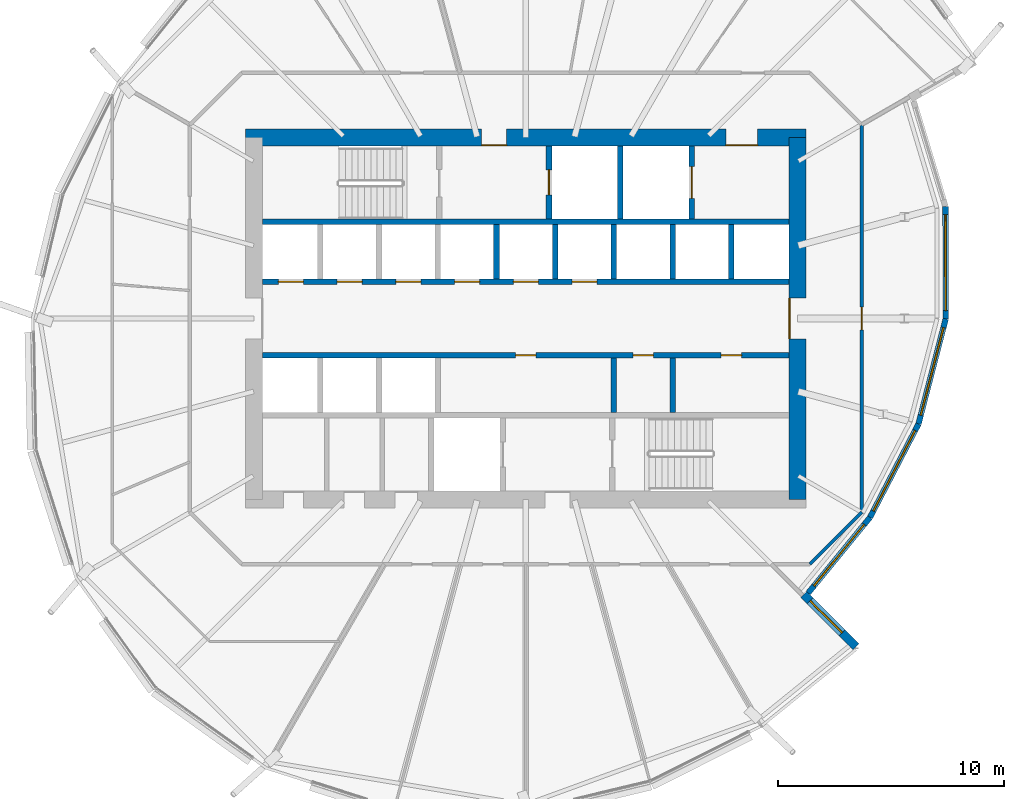
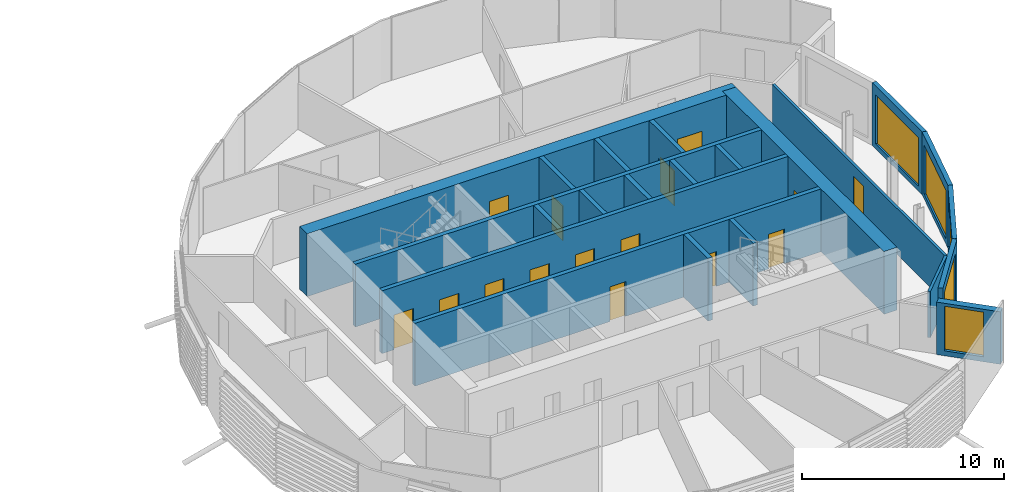
# One storey, part 24 of 38: 22 walls, 15 doors, 5 windows, 20 openings.
"""IFC4 building model written with IfcOpenShell, lengths in metres."""

import ifcopenshell
import ifcopenshell.guid

model = None  # the IFC model being written
_history = None  # IfcOwnerHistory: only IFC2X3 demands one
_inside = {}  # id of a spatial element -> (the spatial element, [elements in it])
_under = {}  # id of a project, library or spatial element -> (it, [spatial elements below it])
_declared = {}  # id of a project -> (the project, [libraries it declares])
_typed = {}  # id of a type object -> (the type object, [elements of that type])
_made_of = {}  # id of a material, layer set ... -> (it, [elements and type objects made of it])


def new_model(schema):
    """Start an empty IFC model of exactly this schema.

    Asked for "IFC4X3", IfcOpenShell would pick the latest addendum, in which some entities
    have other attributes; the version numbers below select the first issue.
    IFC2X3 requires an IfcOwnerHistory on every rooted entity: one is made here for all.
    """
    global model, _history
    if schema == "IFC4X3":
        model = ifcopenshell.file(schema_version=(4, 3, 0, 0))
    else:
        model = ifcopenshell.file(schema=schema)
    _inside.clear()
    _under.clear()
    _declared.clear()
    _typed.clear()
    _made_of.clear()
    _history = None
    if model.schema == "IFC2X3":
        org = make("IfcOrganization", Name="unknown")
        user = make(
            "IfcPersonAndOrganization",
            ThePerson=make("IfcPerson", FamilyName="unknown"),
            TheOrganization=org,
        )
        app = make(
            "IfcApplication",
            ApplicationDeveloper=org,
            Version="unknown",
            ApplicationFullName="unknown",
            ApplicationIdentifier="unknown",
        )
        _history = make(
            "IfcOwnerHistory",
            OwningUser=user,
            OwningApplication=app,
            ChangeAction="ADDED",
            CreationDate=0,
        )
    return model


def make(cls, **values):
    """One entity of the class cls with the attributes given. An attribute that is None is left unset."""
    return model.create_entity(
        cls, **{name: value for name, value in values.items() if value is not None}
    )


def rooted(cls, **values):
    """An entity with a GlobalId (a new one), such as an element, a storey or a relation."""
    return make(cls, GlobalId=ifcopenshell.guid.new(), OwnerHistory=_history, **values)


def si_unit(unit_type, name, prefix=None):
    """IfcSIUnit, for example si_unit("LENGTHUNIT", "METRE", prefix="MILLI")."""
    return make("IfcSIUnit", UnitType=unit_type, Prefix=prefix, Name=name)


def assignment(units):
    """IfcUnitAssignment: the units of a project."""
    return None if units is None else make("IfcUnitAssignment", Units=units)


def point(xyz):
    """IfcCartesianPoint."""
    return None if xyz is None else make("IfcCartesianPoint", Coordinates=xyz)


def direction(xyz):
    """IfcDirection."""
    return None if xyz is None else make("IfcDirection", DirectionRatios=xyz)


def frame(location, z_axis=None, x_axis=None):
    """IfcAxis2Placement3D, a coordinate frame: its origin and axes. An axis left out is left unset."""
    return make(
        "IfcAxis2Placement3D",
        Location=point(location),
        Axis=direction(z_axis),
        RefDirection=direction(x_axis),
    )


def frame_2d(location, x_axis=None):
    """IfcAxis2Placement2D, a coordinate frame in the plane: its origin and x axis."""
    return make(
        "IfcAxis2Placement2D", Location=point(location), RefDirection=direction(x_axis)
    )


def origin():
    """The frame at (0, 0, 0) with its axes left unset."""
    return frame((0.0, 0.0, 0.0))


def place(relative_to, where):
    """IfcLocalPlacement: puts the frame where relative to a parent placement (None: the world)."""
    return make(
        "IfcLocalPlacement", PlacementRelTo=relative_to, RelativePlacement=where
    )


def context(
    kind, dimensions, precision=None, world=None, true_north=None, identifier=None
):
    """IfcGeometricRepresentationContext, for example the 3D "Model" context."""
    return make(
        "IfcGeometricRepresentationContext",
        ContextIdentifier=identifier,
        ContextType=kind,
        CoordinateSpaceDimension=dimensions,
        Precision=precision,
        WorldCoordinateSystem=world,
        TrueNorth=true_north,
    )


def subcontext(parent, identifier, kind, view, scale=None):
    """IfcGeometricRepresentationSubContext, for example "Body" below "Model"."""
    return make(
        "IfcGeometricRepresentationSubContext",
        ContextIdentifier=identifier,
        ContextType=kind,
        ParentContext=parent,
        TargetScale=scale,
        TargetView=view,
    )


def project(units=None, contexts=None):
    """IfcProject with its units and contexts."""
    return rooted(
        "IfcProject",
        Name="project",
        RepresentationContexts=contexts,
        UnitsInContext=assignment(units),
    )


def spatial(cls, under=None, at=None, **own):
    """A site, building, storey or space (cls), placed at a placement, below another one or the project."""
    s = rooted(cls, ObjectPlacement=at, **own)
    if under is not None:
        _under.setdefault(under.id(), (under, []))[1].append(s)
    return s


def profile(cls, at=None, kind="AREA", **sizes):
    """A parametric profile (cls). Its sizes go by their IFC names, for example OverallWidth=200.0."""
    return make(cls, ProfileType=kind, Position=at, **sizes)


def rectangle(**sizes):
    """IfcRectangleProfileDef."""
    return profile("IfcRectangleProfileDef", **sizes)


def extrude(swept, where, along, depth):
    """IfcExtrudedAreaSolid: the profile swept, set in the frame where, extruded along a direction by depth."""
    return make(
        "IfcExtrudedAreaSolid",
        SweptArea=swept,
        Position=where,
        ExtrudedDirection=direction(along),
        Depth=depth,
    )


def shape(context_of_items, identifier, shape_type, items):
    """IfcShapeRepresentation: the items that make up one representation, for example the "Body"."""
    return make(
        "IfcShapeRepresentation",
        ContextOfItems=context_of_items,
        RepresentationIdentifier=identifier,
        RepresentationType=shape_type,
        Items=items,
    )


def material(Name=None, Category=None):
    """IfcMaterial."""
    return make("IfcMaterial", Name=Name, Category=Category)


def layer(
    of_material, thickness, ventilated=None, Name=None, Category=None, Priority=None
):
    """IfcMaterialLayer: one layer of a wall or slab, of a material (None: an air gap)."""
    return make(
        "IfcMaterialLayer",
        Material=of_material,
        LayerThickness=thickness,
        IsVentilated=ventilated,
        Name=Name,
        Category=Category,
        Priority=Priority,
    )


def layer_set(layers, Name=None):
    """IfcMaterialLayerSet."""
    return make("IfcMaterialLayerSet", MaterialLayers=layers, LayerSetName=Name)


def made_of(thing, what):
    """Note that an element or type object is made of a material, layer set ...; save() writes the relation."""
    if what is not None:
        _made_of.setdefault(what.id(), (what, []))[1].append(thing)
    return thing


def type_object(cls, material=None, **own):
    """A type object (cls), such as IfcWallType, which elements share."""
    return made_of(rooted(cls, **own), material)


def element(
    cls,
    number,
    at=None,
    inside=None,
    cuts=None,
    type_object=None,
    material=None,
    context=None,
    identifier="Body",
    shape_type=None,
    held_by="IfcProductDefinitionShape",
    body=None,
    shapes=None,
    **own,
):
    """One element of the class cls, such as IfcWall. Its Tag is "e" and its number.

    at: its placement. inside: the storey or other place that contains it. cuts: it is an
    opening in that element (IfcRelVoidsElement). A single representation is given by context,
    identifier, shape_type and body (its items); several are given by shapes. held_by: the class
    of the entity that holds the representations. save() writes the other relations.
    """
    e = rooted(cls, Tag="e%d" % number, ObjectPlacement=at, **own)
    if body is not None:
        shapes = [shape(context, identifier, shape_type, body)]
    if shapes is not None:
        e.Representation = make(held_by, Representations=shapes)
    if inside is not None:
        _inside.setdefault(inside.id(), (inside, []))[1].append(e)
    if cuts is not None:
        rooted(
            "IfcRelVoidsElement", RelatingBuildingElement=cuts, RelatedOpeningElement=e
        )
    if type_object is not None:
        _typed.setdefault(type_object.id(), (type_object, []))[1].append(e)
    return made_of(e, material)


def fill(opening, filler):
    """IfcRelFillsElement: the door or window that sits in an opening."""
    return rooted(
        "IfcRelFillsElement",
        RelatingOpeningElement=opening,
        RelatedBuildingElement=filler,
    )


def aggregate(whole, parts):
    """IfcRelAggregates: a whole, such as a stair, and the parts it consists of."""
    return rooted("IfcRelAggregates", RelatingObject=whole, RelatedObjects=parts)


def save(model, path):
    """Write the relations noted so far, then the file.

    IfcRelAggregates (storeys below a building ...), IfcRelContainedInSpatialStructure (elements
    in a storey), IfcRelDefinesByType, IfcRelAssociatesMaterial and IfcRelDeclares: one each for
    every whole, place, type object, material and project.
    """
    for whole, parts in _under.values():
        aggregate(whole, parts)
    for where, things in _inside.values():
        rooted(
            "IfcRelContainedInSpatialStructure",
            RelatedElements=things,
            RelatingStructure=where,
        )
    for kind, things in _typed.values():
        rooted("IfcRelDefinesByType", RelatedObjects=things, RelatingType=kind)
    for what, things in _made_of.values():
        rooted("IfcRelAssociatesMaterial", RelatedObjects=things, RelatingMaterial=what)
    for by, libraries in _declared.values():
        rooted("IfcRelDeclares", RelatingContext=by, RelatedDefinitions=libraries)
    model.write(path)


model = new_model("IFC4")

# Units and contexts
model_context = context("Model", 3, precision=1e-05, world=origin(), true_north=direction((0.0, 1.0)))
body_context = subcontext(model_context, "Body", "Model", "MODEL_VIEW")
ifc_project = project(units=[si_unit("LENGTHUNIT", "METRE"), si_unit("AREAUNIT", "SQUARE_METRE"), si_unit("VOLUMEUNIT", "CUBIC_METRE"), si_unit("PLANEANGLEUNIT", "RADIAN"), si_unit("MASSUNIT", "GRAM", prefix="KILO")], contexts=[model_context])

# Site, building, storey
site_placement = place(None, origin())
site = spatial("IfcSite", under=ifc_project, at=site_placement, CompositionType="ELEMENT")
building_placement = place(site_placement, origin())
building = spatial("IfcBuilding", under=site, at=building_placement, Name="Rimbun Link Towers", CompositionType="ELEMENT")
storey_placement = place(building_placement, frame((0.0, 0.0, 119.60009765625)))
storey = spatial("IfcBuildingStorey", under=building, at=storey_placement, Name="L29", CompositionType="ELEMENT", Elevation=119.60009765625)

# Wall, opening, window
ifc_material_1 = material(Name="Dark enamelled glass spandrel on insulated aluminium backpan", Category="aluminium")
ifc_layer_1 = layer(ifc_material_1, 0.25)
ifc_layer_set_1 = layer_set([ifc_layer_1], Name="CS dark enamelled spandrel wall 250")
wall_type_1 = type_object("IfcWallType", Name="CS dark enamelled spandrel wall 250", PredefinedType="STANDARD", material=ifc_layer_set_1)
wall_1_placement = place(storey_placement, frame((46.958984375, -8.789306640625, 0.0), z_axis=(0.0, 0.0, 1.0), x_axis=(-0.632981787804, -0.774166685093, 0.0)))
wall_1 = element("IfcWall", 1, at=wall_1_placement, inside=storey, type_object=wall_type_1, Name="Crease spandrel wall", PredefinedType="STANDARD", context=body_context, shape_type="SweptSolid", body=[
    extrude(rectangle(XDim=4.31103515625, YDim=0.25, at=frame_2d((2.155517578125, 0.0))), origin(), (0.0, 0.0, 1.0), 3.7998046875),
])
opening_1_placement = place(wall_1_placement, frame((0.405517578125, 0.0, 0.300048828125)))
opening_1 = element("IfcOpeningElement", 2, at=opening_1_placement, cuts=wall_1, Name="Opening WR35H295", PredefinedType="OPENING", context=body_context, shape_type="SweptSolid", body=[
    extrude(rectangle(XDim=3.5, YDim=2.949951171875, at=frame_2d((1.75, 1.47509765625))), frame((0.0, 0.135009765625, 0.0), z_axis=(0.0, -1.0, 0.0), x_axis=(1.0, 0.0, 0.0)), (0.0, 0.0, 1.0), 0.27001953125),
])
ifc_material_2 = material(Name="Aluminium framed fixed window, dark tinted low-e glass", Category="aluminium")
window_type_1 = type_object("IfcWindowType", Name="WR ribbon window 3500X2950", PartitioningType="SINGLE_PANEL", PredefinedType="WINDOW", material=ifc_material_2)
window_1_placement = place(opening_1_placement, origin())
window_1 = element("IfcWindow", 3, at=window_1_placement, inside=storey, type_object=window_type_1, Name="Crease ribbon window", OverallHeight=2.949951171875, OverallWidth=3.5, PartitioningType="SINGLE_PANEL", PredefinedType="WINDOW", context=body_context, shape_type="SweptSolid", body=[
    extrude(rectangle(XDim=3.5, YDim=2.949951171875, at=frame_2d((1.75, 1.47509765625))), frame((0.0, 0.030029296875, 0.0), z_axis=(0.0, -1.0, 0.0), x_axis=(1.0, 0.0, 0.0)), (0.0, 0.0, 1.0), 0.06005859375),
])
fill(opening_1, window_1)

wall_2_placement = place(storey_placement, frame((49.1015625, -4.662841796875, 0.0), z_axis=(0.0, 0.0, 1.0), x_axis=(-0.460813679946, -0.887496902741, 0.0)))
wall_2 = element("IfcWall", 4, at=wall_2_placement, inside=storey, type_object=wall_type_1, Name="Crease spandrel wall", PredefinedType="STANDARD", context=body_context, shape_type="SweptSolid", body=[
    extrude(rectangle(XDim=4.649658203125, YDim=0.25, at=frame_2d((2.32470703125, 0.0))), origin(), (0.0, 0.0, 1.0), 3.7998046875),
])
opening_2_placement = place(wall_2_placement, frame((0.32470703125, 0.0, 0.300048828125)))
opening_2 = element("IfcOpeningElement", 5, at=opening_2_placement, cuts=wall_2, Name="Opening WR40H295", PredefinedType="OPENING", context=body_context, shape_type="SweptSolid", body=[
    extrude(rectangle(XDim=4.0, YDim=2.949951171875, at=frame_2d((2.0, 1.47509765625))), frame((0.0, 0.135009765625, 0.0), z_axis=(0.0, -1.0, 0.0), x_axis=(1.0, 0.0, 0.0)), (0.0, 0.0, 1.0), 0.27001953125),
])
ifc_material_3 = material(Name="Aluminium framed fixed window, dark tinted low-e glass", Category="aluminium")
window_type_2 = type_object("IfcWindowType", Name="WR ribbon window 4000X2950", PartitioningType="SINGLE_PANEL", PredefinedType="WINDOW", material=ifc_material_3)
window_2_placement = place(opening_2_placement, origin())
window_2 = element("IfcWindow", 6, at=window_2_placement, inside=storey, type_object=window_type_2, Name="Crease ribbon window", OverallHeight=2.949951171875, OverallWidth=4.0, PartitioningType="SINGLE_PANEL", PredefinedType="WINDOW", context=body_context, shape_type="SweptSolid", body=[
    extrude(rectangle(XDim=4.0, YDim=2.949951171875, at=frame_2d((2.0, 1.47509765625))), frame((0.0, 0.030029296875, 0.0), z_axis=(0.0, -1.0, 0.0), x_axis=(1.0, 0.0, 0.0)), (0.0, 0.0, 1.0), 0.06005859375),
])
fill(opening_2, window_2)

wall_3_placement = place(storey_placement, frame((50.305419921875, -0.015869140625, 0.0), z_axis=(0.0, 0.0, 1.0), x_axis=(-0.250783887851, -0.968043099038, 0.0)))
wall_3 = element("IfcWall", 7, at=wall_3_placement, inside=storey, type_object=wall_type_1, Name="Crease spandrel wall", PredefinedType="STANDARD", context=body_context, shape_type="SweptSolid", body=[
    extrude(rectangle(XDim=4.80029296875, YDim=0.25, at=frame_2d((2.400146484375, 0.0))), origin(), (0.0, 0.0, 1.0), 3.7998046875),
])
opening_3_placement = place(wall_3_placement, frame((0.400146484375, 0.0, 0.300048828125)))
opening_3 = element("IfcOpeningElement", 8, at=opening_3_placement, cuts=wall_3, Name="Opening WR40H295", PredefinedType="OPENING", context=body_context, shape_type="SweptSolid", body=[
    extrude(rectangle(XDim=4.0, YDim=2.949951171875, at=frame_2d((2.0, 1.47509765625))), frame((0.0, 0.135009765625, 0.0), z_axis=(0.0, -1.0, 0.0), x_axis=(1.0, 0.0, 0.0)), (0.0, 0.0, 1.0), 0.27001953125),
])
window_3_placement = place(opening_3_placement, origin())
window_3 = element("IfcWindow", 9, at=window_3_placement, inside=storey, type_object=window_type_2, Name="Crease ribbon window", OverallHeight=2.949951171875, OverallWidth=4.0, PartitioningType="SINGLE_PANEL", PredefinedType="WINDOW", context=body_context, shape_type="SweptSolid", body=[
    extrude(rectangle(XDim=4.0, YDim=2.949951171875, at=frame_2d((2.0, 1.47509765625))), frame((0.0, 0.030029296875, 0.0), z_axis=(0.0, -1.0, 0.0), x_axis=(1.0, 0.0, 0.0)), (0.0, 0.0, 1.0), 0.06005859375),
])
fill(opening_3, window_3)

wall_4_placement = place(storey_placement, frame((50.295654296875, 4.954345703125, 0.0), z_axis=(0.0, 0.0, 1.0), x_axis=(0.001964825758, -0.999998069728, 0.0)))
wall_4 = element("IfcWall", 10, at=wall_4_placement, inside=storey, type_object=wall_type_1, Name="Crease spandrel wall", PredefinedType="STANDARD", context=body_context, shape_type="SweptSolid", body=[
    extrude(rectangle(XDim=4.97021484375, YDim=0.25, at=frame_2d((2.485107421875, 0.0))), origin(), (0.0, 0.0, 1.0), 3.7998046875),
])
opening_4_placement = place(wall_4_placement, frame((0.360107421875, 0.0, 0.300048828125)))
opening_4 = element("IfcOpeningElement", 11, at=opening_4_placement, cuts=wall_4, Name="Opening WR42H295", PredefinedType="OPENING", context=body_context, shape_type="SweptSolid", body=[
    extrude(rectangle(XDim=4.25, YDim=2.949951171875, at=frame_2d((2.125, 1.47509765625))), frame((0.0, 0.135009765625, 0.0), z_axis=(0.0, -1.0, 0.0), x_axis=(1.0, 0.0, 0.0)), (0.0, 0.0, 1.0), 0.27001953125),
])
ifc_material_4 = material(Name="Aluminium framed fixed window, dark tinted low-e glass", Category="aluminium")
window_type_3 = type_object("IfcWindowType", Name="WR ribbon window 4250X2950", PartitioningType="SINGLE_PANEL", PredefinedType="WINDOW", material=ifc_material_4)
window_4_placement = place(opening_4_placement, origin())
window_4 = element("IfcWindow", 12, at=window_4_placement, inside=storey, type_object=window_type_3, Name="Crease ribbon window", OverallHeight=2.949951171875, OverallWidth=4.25, PartitioningType="SINGLE_PANEL", PredefinedType="WINDOW", context=body_context, shape_type="SweptSolid", body=[
    extrude(rectangle(XDim=4.25, YDim=2.949951171875, at=frame_2d((2.125, 1.47509765625))), frame((0.0, 0.030029296875, 0.0), z_axis=(0.0, -1.0, 0.0), x_axis=(1.0, 0.0, 0.0)), (0.0, 0.0, 1.0), 0.06005859375),
])
fill(opening_4, window_4)

ifc_material_5 = material(Name="Dark enamelled glass spandrel on insulated aluminium backpan", Category="aluminium")
ifc_layer_2 = layer(ifc_material_5, 0.3701171875)
ifc_layer_set_2 = layer_set([ifc_layer_2], Name="CS dark enamelled spandrel wall 370")
wall_type_2 = type_object("IfcWallType", Name="CS dark enamelled spandrel wall 370", PredefinedType="STANDARD", material=ifc_layer_set_2)
wall_5_placement = place(storey_placement, frame((44.0283203125, -12.186279296875, 0.0), z_axis=(0.0, 0.0, 1.0), x_axis=(0.707069562102, -0.707143998312, 0.0)))
wall_5 = element("IfcWall", 13, at=wall_5_placement, inside=storey, type_object=wall_type_2, Name="Crease spandrel wall", PredefinedType="STANDARD", context=body_context, shape_type="SweptSolid", body=[
    extrude(rectangle(XDim=3.27978515625, YDim=0.3701171875, at=frame_2d((1.639892578125, 0.0))), origin(), (0.0, 0.0, 1.0), 3.176513671875),
])
opening_5_placement = place(wall_5_placement, frame((0.397216796875, 0.0, 0.300048828125)))
opening_5 = element("IfcOpeningElement", 14, at=opening_5_placement, cuts=wall_5, Name="Opening WR20H270", PredefinedType="OPENING", context=body_context, shape_type="SweptSolid", body=[
    extrude(rectangle(XDim=2.0, YDim=2.699951171875, at=frame_2d((1.0, 1.35009765625))), frame((0.0, 0.195068359375, 0.0), z_axis=(0.0, -1.0, 0.0), x_axis=(1.0, 0.0, 0.0)), (0.0, 0.0, 1.0), 0.39013671875),
])
ifc_material_6 = material(Name="Aluminium framed fixed window, dark tinted low-e glass", Category="aluminium")
window_type_4 = type_object("IfcWindowType", Name="WR ribbon window 2000X2700", PartitioningType="SINGLE_PANEL", PredefinedType="WINDOW", material=ifc_material_6)
window_5_placement = place(opening_5_placement, origin())
window_5 = element("IfcWindow", 15, at=window_5_placement, inside=storey, type_object=window_type_4, Name="Crease ribbon window", OverallHeight=2.699951171875, OverallWidth=2.0, PartitioningType="SINGLE_PANEL", PredefinedType="WINDOW", context=body_context, shape_type="SweptSolid", body=[
    extrude(rectangle(XDim=2.0, YDim=2.699951171875, at=frame_2d((1.0, 1.35009765625))), frame((0.0, 0.030029296875, 0.0), z_axis=(0.0, -1.0, 0.0), x_axis=(1.0, 0.0, 0.0)), (0.0, 0.0, 1.0), 0.06005859375),
])
fill(opening_5, window_5)

# Wall, openings, doors
ifc_material_7 = material(Name="Concrete C60/75", Category="concrete")
ifc_layer_3 = layer(ifc_material_7, 0.75)
ifc_layer_set_3 = layer_set([ifc_layer_3], Name="Core shear wall 750")
wall_type_3 = type_object("IfcWallType", Name="Core shear wall 750", PredefinedType="SHEAR", material=ifc_layer_set_3)
wall_6_placement = place(storey_placement, frame((19.375, 8.0, 0.0), z_axis=(0.0, 0.0, 1.0), x_axis=(1.0, 0.0, 0.0)))
wall_6 = element("IfcWall", 16, at=wall_6_placement, inside=storey, type_object=wall_type_3, Name="L29 T2 core wall N", PredefinedType="SHEAR", context=body_context, shape_type="SweptSolid", body=[
    extrude(rectangle(XDim=24.75, YDim=0.75, at=frame_2d((12.375, 0.0))), origin(), (0.0, 0.0, 1.0), 3.7998046875),
])
opening_6_placement = place(wall_6_placement, frame((10.425048828125, 0.0, 0.0)))
opening_6 = element("IfcOpeningElement", 17, at=opening_6_placement, cuts=wall_6, Name="Opening C2DCF01N", PredefinedType="OPENING", context=body_context, shape_type="SweptSolid", body=[
    extrude(rectangle(XDim=1.10009765625, YDim=2.10009765625, at=frame_2d((0.550048828125, 1.050048828125))), frame((0.0, 0.385009765625, 0.0), z_axis=(0.0, -1.0, 0.0), x_axis=(1.0, 0.0, 0.0)), (0.0, 0.0, 1.0), 0.77001953125),
])
opening_7_placement = place(wall_6_placement, frame((21.21240234375, 0.0, 0.0)))
opening_7 = element("IfcOpeningElement", 18, at=opening_7_placement, cuts=wall_6, Name="Opening C2DSL02N", PredefinedType="OPENING", context=body_context, shape_type="SweptSolid", body=[
    extrude(rectangle(XDim=1.39990234375, YDim=2.10009765625, at=frame_2d((0.699951171875, 1.050048828125))), frame((0.0, 0.385009765625, 0.0), z_axis=(0.0, -1.0, 0.0), x_axis=(1.0, 0.0, 0.0)), (0.0, 0.0, 1.0), 0.77001953125),
])
ifc_material_8 = material(Name="Steel fire door set", Category="steel")
door_type_1 = type_object("IfcDoorType", Name="Core fire door single", OperationType="SINGLE_SWING_LEFT", PredefinedType="DOOR", material=ifc_material_8)
door_1_placement = place(opening_6_placement, origin())
door_1 = element("IfcDoor", 19, at=door_1_placement, inside=storey, type_object=door_type_1, Name="L29 T2 firefighting lobby n door", OperationType="SINGLE_SWING_LEFT", OverallHeight=2.10009765625, OverallWidth=1.10009765625, PredefinedType="DOOR", context=body_context, shape_type="SweptSolid", body=[
    extrude(rectangle(XDim=1.10009765625, YDim=2.10009765625, at=frame_2d((0.550048828125, 1.050048828125))), frame((0.0, -0.3251953125, 0.0), z_axis=(0.0, -1.0, 0.0), x_axis=(1.0, 0.0, 0.0)), (0.0, 0.0, 1.0), 0.050048828125),
])
fill(opening_6, door_1)
ifc_material_9 = material(Name="Steel fire door set", Category="steel")
door_type_2 = type_object("IfcDoorType", Name="Service lobby door double", OperationType="DOUBLE_DOOR_SINGLE_SWING", PredefinedType="DOOR", material=ifc_material_9)
door_2_placement = place(opening_7_placement, origin())
door_2 = element("IfcDoor", 20, at=door_2_placement, inside=storey, type_object=door_type_2, Name="L29 T2 service lobby door", OperationType="DOUBLE_DOOR_SINGLE_SWING", OverallHeight=2.10009765625, OverallWidth=1.39990234375, PredefinedType="DOOR", context=body_context, shape_type="SweptSolid", body=[
    extrude(rectangle(XDim=1.39990234375, YDim=2.10009765625, at=frame_2d((0.699951171875, 1.050048828125))), frame((0.0, -0.3251953125, 0.0), z_axis=(0.0, -1.0, 0.0), x_axis=(1.0, 0.0, 0.0)), (0.0, 0.0, 1.0), 0.050048828125),
])
fill(opening_7, door_2)

# Wall, opening, door
wall_7_placement = place(storey_placement, frame((43.75, -8.0, 0.0), z_axis=(0.0, 0.0, 1.0), x_axis=(0.0, 1.0, 0.0)))
wall_7 = element("IfcWall", 21, at=wall_7_placement, inside=storey, type_object=wall_type_3, Name="L29 T2 core wall E", PredefinedType="SHEAR", context=body_context, shape_type="SweptSolid", body=[
    extrude(rectangle(XDim=16.0, YDim=0.75, at=frame_2d((8.0, 0.0))), origin(), (0.0, 0.0, 1.0), 3.7998046875),
])
opening_8_placement = place(wall_7_placement, frame((7.10009765625, 0.0, 0.0)))
opening_8 = element("IfcOpeningElement", 22, at=opening_8_placement, cuts=wall_7, Name="Opening C2DCL01E", PredefinedType="OPENING", context=body_context, shape_type="SweptSolid", body=[
    extrude(rectangle(XDim=1.800048828125, YDim=2.10009765625, at=frame_2d((0.89990234375, 1.050048828125))), frame((0.0, 0.385009765625, 0.0), z_axis=(0.0, -1.0, 0.0), x_axis=(1.0, 0.0, 0.0)), (0.0, 0.0, 1.0), 0.77001953125),
])
ifc_material_10 = material(Name="Steel fire door set", Category="steel")
door_type_3 = type_object("IfcDoorType", Name="Core lobby door double", OperationType="DOUBLE_DOOR_SINGLE_SWING", PredefinedType="DOOR", material=ifc_material_10)
door_3_placement = place(opening_8_placement, origin())
door_3 = element("IfcDoor", 23, at=door_3_placement, inside=storey, type_object=door_type_3, Name="L29 T2 lift lobby door", OperationType="DOUBLE_DOOR_SINGLE_SWING", OverallHeight=2.10009765625, OverallWidth=1.800048828125, PredefinedType="DOOR", context=body_context, shape_type="SweptSolid", body=[
    extrude(rectangle(XDim=1.800048828125, YDim=2.10009765625, at=frame_2d((0.89990234375, 1.050048828125))), frame((0.0, 0.375, 0.0), z_axis=(0.0, -1.0, 0.0), x_axis=(1.0, 0.0, 0.0)), (0.0, 0.0, 1.0), 0.050048828125),
])
fill(opening_8, door_3)

ifc_material_11 = material(Name="Plasterboard on steel stud, mineral wool", Category="steel")
ifc_layer_4 = layer(ifc_material_11, 0.14990234375)
ifc_layer_set_4 = layer_set([ifc_layer_4], Name="Corridor wall EI 30 150 mm")
wall_type_4 = type_object("IfcWallType", Name="Corridor wall EI 30 150 mm", PredefinedType="PARTITIONING", material=ifc_layer_set_4)
wall_8_placement = place(storey_placement, frame((46.60009765625, 8.5517578125, 0.0), z_axis=(0.0, 0.0, 1.0), x_axis=(0.0, -1.0, 0.0)))
wall_8 = element("IfcWall", 24, at=wall_8_placement, inside=storey, type_object=wall_type_4, Name="Corridor wall EI 30 150 mm", PredefinedType="PARTITIONING", context=body_context, shape_type="SweptSolid", body=[
    extrude(rectangle(XDim=17.103515625, YDim=0.14990234375, at=frame_2d((8.5517578125, 0.0))), origin(), (0.0, 0.0, 1.0), 2.77880859375),
])
opening_9_placement = place(wall_8_placement, frame((8.0517578125, 0.0, 0.0)))
opening_9 = element("IfcOpeningElement", 25, at=opening_9_placement, cuts=wall_8, Name="Opening D01", PredefinedType="OPENING", context=body_context, shape_type="SweptSolid", body=[
    extrude(rectangle(XDim=1.0, YDim=2.10009765625, at=frame_2d((0.5, 1.050048828125))), frame((0.0, 0.0849609375, 0.0), z_axis=(0.0, -1.0, 0.0), x_axis=(1.0, 0.0, 0.0)), (0.0, 0.0, 1.0), 0.169921875),
])
ifc_material_12 = material(Name="Fire-resisting timber door leaf", Category="wood")
door_type_4 = type_object("IfcDoorType", Name="Fire door FD30S 1000", OperationType="NOTDEFINED", PredefinedType="DOOR", material=ifc_material_12)
door_4_placement = place(opening_9_placement, origin())
door_4 = element("IfcDoor", 26, at=door_4_placement, inside=storey, type_object=door_type_4, Name="Fire door FD30S 1000 to Terrace office", OperationType="SINGLE_SWING_LEFT", OverallHeight=2.10009765625, OverallWidth=1.0, PredefinedType="DOOR", context=body_context, shape_type="SweptSolid", body=[
    extrude(rectangle(XDim=1.0, YDim=2.10009765625, at=frame_2d((0.5, 1.050048828125))), frame((0.0, 0.02490234375, 0.0), z_axis=(0.0, -1.0, 0.0), x_axis=(1.0, 0.0, 0.0)), (0.0, 0.0, 1.0), 0.050048828125),
])
fill(opening_9, door_4)

# Walls
wall_9_placement = place(storey_placement, frame((44.3017578125, -10.85009765625, 0.0), z_axis=(0.0, 0.0, 1.0), x_axis=(0.707106781187, 0.707106781187, 0.0)))
element("IfcWall", 27, at=wall_9_placement, inside=storey, type_object=wall_type_4, Name="Corridor wall EI 30 150 mm", PredefinedType="PARTITIONING", context=body_context, shape_type="SweptSolid", body=[
    extrude(rectangle(XDim=3.250244140625, YDim=0.14990234375, at=frame_2d((1.625, 0.0))), origin(), (0.0, 0.0, 1.0), 2.77880859375),
])
ifc_material_13 = material(Name="Concrete C60/75", Category="concrete")
ifc_layer_5 = layer(ifc_material_13, 0.25)
ifc_layer_set_5 = layer_set([ifc_layer_5], Name="Shaft wall 250")
wall_type_5 = type_object("IfcWallType", Name="Shaft wall 250", PredefinedType="SHEAR", material=ifc_layer_set_5)
wall_10_placement = place(storey_placement, frame((20.125, 4.27490234375, 0.0), z_axis=(0.0, 0.0, 1.0), x_axis=(1.0, 0.0, 0.0)))
element("IfcWall", 28, at=wall_10_placement, inside=storey, type_object=wall_type_5, Name="L29 T2 core wall BN", PredefinedType="SHEAR", context=body_context, shape_type="SweptSolid", body=[
    extrude(rectangle(XDim=23.25, YDim=0.25, at=frame_2d((11.625, 0.0))), origin(), (0.0, 0.0, 1.0), 3.7998046875),
])

# Wall, openings, doors
wall_11_placement = place(storey_placement, frame((20.125, 1.625, 0.0), z_axis=(0.0, 0.0, 1.0), x_axis=(1.0, 0.0, 0.0)))
wall_11 = element("IfcWall", 29, at=wall_11_placement, inside=storey, type_object=wall_type_5, Name="L29 T2 core wall FN", PredefinedType="SHEAR", context=body_context, shape_type="SweptSolid", body=[
    extrude(rectangle(XDim=23.25, YDim=0.25, at=frame_2d((11.625, 0.0))), origin(), (0.0, 0.0, 1.0), 3.7998046875),
])
opening_10_placement = place(wall_11_placement, frame((0.697265625, 0.0, 0.0)))
opening_10 = element("IfcOpeningElement", 30, at=opening_10_placement, cuts=wall_11, Name="Opening LD-T2-LR1", PredefinedType="OPENING", context=body_context, shape_type="SweptSolid", body=[
    extrude(rectangle(XDim=1.10009765625, YDim=2.10009765625, at=frame_2d((0.550048828125, 1.050048828125))), frame((0.0, 0.135009765625, 0.0), z_axis=(0.0, -1.0, 0.0), x_axis=(1.0, 0.0, 0.0)), (0.0, 0.0, 1.0), 0.27001953125),
])
opening_11_placement = place(wall_11_placement, frame((3.291748046875, 0.0, 0.0)))
opening_11 = element("IfcOpeningElement", 31, at=opening_11_placement, cuts=wall_11, Name="Opening LD-T2-LR2", PredefinedType="OPENING", context=body_context, shape_type="SweptSolid", body=[
    extrude(rectangle(XDim=1.10009765625, YDim=2.10009765625, at=frame_2d((0.550048828125, 1.050048828125))), frame((0.0, 0.135009765625, 0.0), z_axis=(0.0, -1.0, 0.0), x_axis=(1.0, 0.0, 0.0)), (0.0, 0.0, 1.0), 0.27001953125),
])
opening_12_placement = place(wall_11_placement, frame((5.885986328125, 0.0, 0.0)))
opening_12 = element("IfcOpeningElement", 32, at=opening_12_placement, cuts=wall_11, Name="Opening LD-T2-LR3", PredefinedType="OPENING", context=body_context, shape_type="SweptSolid", body=[
    extrude(rectangle(XDim=1.10009765625, YDim=2.10009765625, at=frame_2d((0.550048828125, 1.050048828125))), frame((0.0, 0.135009765625, 0.0), z_axis=(0.0, -1.0, 0.0), x_axis=(1.0, 0.0, 0.0)), (0.0, 0.0, 1.0), 0.27001953125),
])
opening_13_placement = place(wall_11_placement, frame((8.480712890625, 0.0, 0.0)))
opening_13 = element("IfcOpeningElement", 33, at=opening_13_placement, cuts=wall_11, Name="Opening LD-T2-LR4", PredefinedType="OPENING", context=body_context, shape_type="SweptSolid", body=[
    extrude(rectangle(XDim=1.10009765625, YDim=2.10009765625, at=frame_2d((0.550048828125, 1.050048828125))), frame((0.0, 0.135009765625, 0.0), z_axis=(0.0, -1.0, 0.0), x_axis=(1.0, 0.0, 0.0)), (0.0, 0.0, 1.0), 0.27001953125),
])
opening_14_placement = place(wall_11_placement, frame((11.074951171875, 0.0, 0.0)))
opening_14 = element("IfcOpeningElement", 34, at=opening_14_placement, cuts=wall_11, Name="Opening LD-T2-LR5", PredefinedType="OPENING", context=body_context, shape_type="SweptSolid", body=[
    extrude(rectangle(XDim=1.10009765625, YDim=2.10009765625, at=frame_2d((0.550048828125, 1.050048828125))), frame((0.0, 0.135009765625, 0.0), z_axis=(0.0, -1.0, 0.0), x_axis=(1.0, 0.0, 0.0)), (0.0, 0.0, 1.0), 0.27001953125),
])
opening_15_placement = place(wall_11_placement, frame((13.66943359375, 0.0, 0.0)))
opening_15 = element("IfcOpeningElement", 35, at=opening_15_placement, cuts=wall_11, Name="Opening LD-T2-LR6", PredefinedType="OPENING", context=body_context, shape_type="SweptSolid", body=[
    extrude(rectangle(XDim=1.10009765625, YDim=2.10009765625, at=frame_2d((0.550048828125, 1.050048828125))), frame((0.0, 0.135009765625, 0.0), z_axis=(0.0, -1.0, 0.0), x_axis=(1.0, 0.0, 0.0)), (0.0, 0.0, 1.0), 0.27001953125),
])
ifc_material_14 = material(Name="Stainless steel grade 316", Category="steel")
door_type_5 = type_object("IfcDoorType", Name="Lift landing door", OperationType="DOUBLE_DOOR_SLIDING", PredefinedType="DOOR", material=ifc_material_14)
door_5_placement = place(opening_10_placement, origin())
door_5 = element("IfcDoor", 36, at=door_5_placement, inside=storey, type_object=door_type_5, Name="L29 T2 lift LR1 landing door", OperationType="DOUBLE_DOOR_SLIDING", OverallHeight=2.10009765625, OverallWidth=1.10009765625, PredefinedType="DOOR", context=body_context, shape_type="SweptSolid", body=[
    extrude(rectangle(XDim=1.10009765625, YDim=2.10009765625, at=frame_2d((0.550048828125, 1.050048828125))), frame((0.0, 0.02490234375, 0.0), z_axis=(0.0, -1.0, 0.0), x_axis=(1.0, 0.0, 0.0)), (0.0, 0.0, 1.0), 0.050048828125),
])
fill(opening_10, door_5)
door_6_placement = place(opening_11_placement, origin())
door_6 = element("IfcDoor", 37, at=door_6_placement, inside=storey, type_object=door_type_5, Name="L29 T2 lift LR2 landing door", OperationType="DOUBLE_DOOR_SLIDING", OverallHeight=2.10009765625, OverallWidth=1.10009765625, PredefinedType="DOOR", context=body_context, shape_type="SweptSolid", body=[
    extrude(rectangle(XDim=1.10009765625, YDim=2.10009765625, at=frame_2d((0.550048828125, 1.050048828125))), frame((0.0, 0.02490234375, 0.0), z_axis=(0.0, -1.0, 0.0), x_axis=(1.0, 0.0, 0.0)), (0.0, 0.0, 1.0), 0.050048828125),
])
fill(opening_11, door_6)
door_7_placement = place(opening_12_placement, origin())
door_7 = element("IfcDoor", 38, at=door_7_placement, inside=storey, type_object=door_type_5, Name="L29 T2 lift LR3 landing door", OperationType="DOUBLE_DOOR_SLIDING", OverallHeight=2.10009765625, OverallWidth=1.10009765625, PredefinedType="DOOR", context=body_context, shape_type="SweptSolid", body=[
    extrude(rectangle(XDim=1.10009765625, YDim=2.10009765625, at=frame_2d((0.550048828125, 1.050048828125))), frame((0.0, 0.02490234375, 0.0), z_axis=(0.0, -1.0, 0.0), x_axis=(1.0, 0.0, 0.0)), (0.0, 0.0, 1.0), 0.050048828125),
])
fill(opening_12, door_7)
door_8_placement = place(opening_13_placement, origin())
door_8 = element("IfcDoor", 39, at=door_8_placement, inside=storey, type_object=door_type_5, Name="L29 T2 lift LR4 landing door", OperationType="DOUBLE_DOOR_SLIDING", OverallHeight=2.10009765625, OverallWidth=1.10009765625, PredefinedType="DOOR", context=body_context, shape_type="SweptSolid", body=[
    extrude(rectangle(XDim=1.10009765625, YDim=2.10009765625, at=frame_2d((0.550048828125, 1.050048828125))), frame((0.0, 0.02490234375, 0.0), z_axis=(0.0, -1.0, 0.0), x_axis=(1.0, 0.0, 0.0)), (0.0, 0.0, 1.0), 0.050048828125),
])
fill(opening_13, door_8)
door_9_placement = place(opening_14_placement, origin())
door_9 = element("IfcDoor", 40, at=door_9_placement, inside=storey, type_object=door_type_5, Name="L29 T2 lift LR5 landing door", OperationType="DOUBLE_DOOR_SLIDING", OverallHeight=2.10009765625, OverallWidth=1.10009765625, PredefinedType="DOOR", context=body_context, shape_type="SweptSolid", body=[
    extrude(rectangle(XDim=1.10009765625, YDim=2.10009765625, at=frame_2d((0.550048828125, 1.050048828125))), frame((0.0, 0.02490234375, 0.0), z_axis=(0.0, -1.0, 0.0), x_axis=(1.0, 0.0, 0.0)), (0.0, 0.0, 1.0), 0.050048828125),
])
fill(opening_14, door_9)
door_10_placement = place(opening_15_placement, origin())
door_10 = element("IfcDoor", 41, at=door_10_placement, inside=storey, type_object=door_type_5, Name="L29 T2 lift LR6 landing door", OperationType="DOUBLE_DOOR_SLIDING", OverallHeight=2.10009765625, OverallWidth=1.10009765625, PredefinedType="DOOR", context=body_context, shape_type="SweptSolid", body=[
    extrude(rectangle(XDim=1.10009765625, YDim=2.10009765625, at=frame_2d((0.550048828125, 1.050048828125))), frame((0.0, 0.02490234375, 0.0), z_axis=(0.0, -1.0, 0.0), x_axis=(1.0, 0.0, 0.0)), (0.0, 0.0, 1.0), 0.050048828125),
])
fill(opening_15, door_10)

wall_12_placement = place(storey_placement, frame((20.125, -1.625, 0.0), z_axis=(0.0, 0.0, 1.0), x_axis=(1.0, 0.0, 0.0)))
wall_12 = element("IfcWall", 42, at=wall_12_placement, inside=storey, type_object=wall_type_5, Name="L29 T2 core wall FS", PredefinedType="SHEAR", context=body_context, shape_type="SweptSolid", body=[
    extrude(rectangle(XDim=23.25, YDim=0.25, at=frame_2d((11.625, 0.0))), origin(), (0.0, 0.0, 1.0), 3.7998046875),
])
opening_16_placement = place(wall_12_placement, frame((11.175048828125, 0.0, 0.0)))
opening_16 = element("IfcOpeningElement", 43, at=opening_16_placement, cuts=wall_12, Name="Opening C2DRS01FS", PredefinedType="OPENING", context=body_context, shape_type="SweptSolid", body=[
    extrude(rectangle(XDim=0.89990234375, YDim=2.10009765625, at=frame_2d((0.449951171875, 1.050048828125))), frame((0.0, 0.135009765625, 0.0), z_axis=(0.0, -1.0, 0.0), x_axis=(1.0, 0.0, 0.0)), (0.0, 0.0, 1.0), 0.27001953125),
])
opening_17_placement = place(wall_12_placement, frame((16.364013671875, 0.0, 0.0)))
opening_17 = element("IfcOpeningElement", 44, at=opening_17_placement, cuts=wall_12, Name="Opening C2DRS02FS", PredefinedType="OPENING", context=body_context, shape_type="SweptSolid", body=[
    extrude(rectangle(XDim=0.89990234375, YDim=2.10009765625, at=frame_2d((0.449951171875, 1.050048828125))), frame((0.0, 0.135009765625, 0.0), z_axis=(0.0, -1.0, 0.0), x_axis=(1.0, 0.0, 0.0)), (0.0, 0.0, 1.0), 0.27001953125),
])
opening_18_placement = place(wall_12_placement, frame((20.255615234375, 0.0, 0.0)))
opening_18 = element("IfcOpeningElement", 45, at=opening_18_placement, cuts=wall_12, Name="Opening C2DRS03FS", PredefinedType="OPENING", context=body_context, shape_type="SweptSolid", body=[
    extrude(rectangle(XDim=0.89990234375, YDim=2.10009765625, at=frame_2d((0.449951171875, 1.050048828125))), frame((0.0, 0.135009765625, 0.0), z_axis=(0.0, -1.0, 0.0), x_axis=(1.0, 0.0, 0.0)), (0.0, 0.0, 1.0), 0.27001953125),
])
ifc_material_15 = material(Name="Steel fire door set", Category="steel")
door_type_6 = type_object("IfcDoorType", Name="Core riser door", OperationType="SINGLE_SWING_LEFT", PredefinedType="DOOR", material=ifc_material_15)
door_11_placement = place(opening_16_placement, origin())
door_11 = element("IfcDoor", 46, at=door_11_placement, inside=storey, type_object=door_type_6, Name="L29 T2 records store door", OperationType="SINGLE_SWING_RIGHT", OverallHeight=2.10009765625, OverallWidth=0.89990234375, PredefinedType="DOOR", context=body_context, shape_type="SweptSolid", body=[
    extrude(rectangle(XDim=0.89990234375, YDim=2.10009765625, at=frame_2d((0.449951171875, 1.050048828125))), frame((0.0, 0.02490234375, 0.0), z_axis=(0.0, -1.0, 0.0), x_axis=(1.0, 0.0, 0.0)), (0.0, 0.0, 1.0), 0.050048828125),
])
fill(opening_16, door_11)
door_12_placement = place(opening_17_placement, origin())
door_12 = element("IfcDoor", 47, at=door_12_placement, inside=storey, type_object=door_type_6, Name="L29 T2 cleaner store door", OperationType="SINGLE_SWING_LEFT", OverallHeight=2.10009765625, OverallWidth=0.89990234375, PredefinedType="DOOR", context=body_context, shape_type="SweptSolid", body=[
    extrude(rectangle(XDim=0.89990234375, YDim=2.10009765625, at=frame_2d((0.449951171875, 1.050048828125))), frame((0.0, 0.02490234375, 0.0), z_axis=(0.0, -1.0, 0.0), x_axis=(1.0, 0.0, 0.0)), (0.0, 0.0, 1.0), 0.050048828125),
])
fill(opening_17, door_12)
door_13_placement = place(opening_18_placement, origin())
door_13 = element("IfcDoor", 48, at=door_13_placement, inside=storey, type_object=door_type_6, Name="L29 T2 staff lounge door", OperationType="SINGLE_SWING_LEFT", OverallHeight=2.10009765625, OverallWidth=0.89990234375, PredefinedType="DOOR", context=body_context, shape_type="SweptSolid", body=[
    extrude(rectangle(XDim=0.89990234375, YDim=2.10009765625, at=frame_2d((0.449951171875, 1.050048828125))), frame((0.0, 0.02490234375, 0.0), z_axis=(0.0, -1.0, 0.0), x_axis=(1.0, 0.0, 0.0)), (0.0, 0.0, 1.0), 0.050048828125),
])
fill(opening_18, door_13)

# Walls
for number, where, z_axis, x_axis, name in (
    (49, (30.452880859375, 1.75, 0.0), (0.0, 0.0, 1.0), (0.0, 1.0, 0.0), "L29 T2 core wall DN3"),
    (50, (33.047119140625, 1.75, 0.0), (0.0, 0.0, 1.0), (0.0, 1.0, 0.0), "L29 T2 core wall DN4"),
    (51, (35.6416015625, 1.75, 0.0), (0.0, 0.0, 1.0), (0.0, 1.0, 0.0), "L29 T2 core wall DN5"),
    (52, (38.236083984375, 1.75, 0.0), (0.0, 0.0, 1.0), (0.0, 1.0, 0.0), "L29 T2 core wall DN6"),
    (53, (40.83056640625, 1.75, 0.0), (0.0, 0.0, 1.0), (0.0, 1.0, 0.0), "L29 T2 core wall DN7"),
    (54, (35.6416015625, -4.14990234375, 0.0), (0.0, 0.0, 1.0), (0.0, 1.0, 0.0), "L29 T2 core wall DS5"),
    (55, (38.236083984375, -4.14990234375, 0.0), (0.0, 0.0, 1.0), (0.0, 1.0, 0.0), "L29 T2 core wall DS6"),
):
    element("IfcWall", number, at=place(storey_placement, frame(where, z_axis=z_axis, x_axis=x_axis)), inside=storey, type_object=wall_type_5, Name=name, PredefinedType="SHEAR", context=body_context, shape_type="SweptSolid", body=[
        extrude(rectangle(XDim=2.39990234375, YDim=0.25, at=frame_2d((1.199951171875, 0.0))), origin(), (0.0, 0.0, 1.0), 3.7998046875),
    ])

# Wall, opening, door
wall_13_placement = place(storey_placement, frame((32.77490234375, 4.39990234375, 0.0), z_axis=(0.0, 0.0, 1.0), x_axis=(0.0, 1.0, 0.0)))
wall_13 = element("IfcWall", 56, at=wall_13_placement, inside=storey, type_object=wall_type_5, Name="L29 T2 core wall A2", PredefinedType="SHEAR", context=body_context, shape_type="SweptSolid", body=[
    extrude(rectangle(XDim=3.22509765625, YDim=0.25, at=frame_2d((1.612548828125, 0.0))), origin(), (0.0, 0.0, 1.0), 3.7998046875),
])
opening_19_placement = place(wall_13_placement, frame((1.0625, 0.0, 0.0)))
opening_19 = element("IfcOpeningElement", 57, at=opening_19_placement, cuts=wall_13, Name="Opening LD-T2-FF1", PredefinedType="OPENING", context=body_context, shape_type="SweptSolid", body=[
    extrude(rectangle(XDim=1.10009765625, YDim=2.10009765625, at=frame_2d((0.550048828125, 1.050048828125))), frame((0.0, 0.135009765625, 0.0), z_axis=(0.0, -1.0, 0.0), x_axis=(1.0, 0.0, 0.0)), (0.0, 0.0, 1.0), 0.27001953125),
])
door_14_placement = place(opening_19_placement, origin())
door_14 = element("IfcDoor", 58, at=door_14_placement, inside=storey, type_object=door_type_5, Name="L29 T2 lift FF1 landing door", OperationType="DOUBLE_DOOR_SLIDING", OverallHeight=2.10009765625, OverallWidth=1.10009765625, PredefinedType="DOOR", context=body_context, shape_type="SweptSolid", body=[
    extrude(rectangle(XDim=1.10009765625, YDim=2.10009765625, at=frame_2d((0.550048828125, 1.050048828125))), frame((0.0, 0.02490234375, 0.0), z_axis=(0.0, -1.0, 0.0), x_axis=(1.0, 0.0, 0.0)), (0.0, 0.0, 1.0), 0.050048828125),
])
fill(opening_19, door_14)

# Wall
wall_14_placement = place(storey_placement, frame((35.925048828125, 4.39990234375, 0.0), z_axis=(0.0, 0.0, 1.0), x_axis=(0.0, 1.0, 0.0)))
element("IfcWall", 59, at=wall_14_placement, inside=storey, type_object=wall_type_5, Name="L29 T2 core wall A3", PredefinedType="SHEAR", context=body_context, shape_type="SweptSolid", body=[
    extrude(rectangle(XDim=3.22509765625, YDim=0.25, at=frame_2d((1.612548828125, 0.0))), origin(), (0.0, 0.0, 1.0), 3.7998046875),
])

# Wall, opening, door
wall_15_placement = place(storey_placement, frame((39.074951171875, 4.39990234375, 0.0), z_axis=(0.0, 0.0, 1.0), x_axis=(0.0, 1.0, 0.0)))
wall_15 = element("IfcWall", 60, at=wall_15_placement, inside=storey, type_object=wall_type_5, Name="L29 T2 core wall A4", PredefinedType="SHEAR", context=body_context, shape_type="SweptSolid", body=[
    extrude(rectangle(XDim=3.22509765625, YDim=0.25, at=frame_2d((1.612548828125, 0.0))), origin(), (0.0, 0.0, 1.0), 3.7998046875),
])
opening_20_placement = place(wall_15_placement, frame((0.91259765625, 0.0, 0.0)))
opening_20 = element("IfcOpeningElement", 61, at=opening_20_placement, cuts=wall_15, Name="Opening LD-T2-GL1", PredefinedType="OPENING", context=body_context, shape_type="SweptSolid", body=[
    extrude(rectangle(XDim=1.39990234375, YDim=2.10009765625, at=frame_2d((0.699951171875, 1.050048828125))), frame((0.0, 0.135009765625, 0.0), z_axis=(0.0, -1.0, 0.0), x_axis=(1.0, 0.0, 0.0)), (0.0, 0.0, 1.0), 0.27001953125),
])
ifc_material_16 = material(Name="Stainless steel grade 316", Category="steel")
door_type_7 = type_object("IfcDoorType", Name="Goods lift landing door", OperationType="DOUBLE_DOOR_SLIDING", PredefinedType="DOOR", material=ifc_material_16)
door_15_placement = place(opening_20_placement, origin())
door_15 = element("IfcDoor", 62, at=door_15_placement, inside=storey, type_object=door_type_7, Name="L29 T2 lift GL1 landing door", OperationType="DOUBLE_DOOR_SLIDING", OverallHeight=2.10009765625, OverallWidth=1.39990234375, PredefinedType="DOOR", context=body_context, shape_type="SweptSolid", body=[
    extrude(rectangle(XDim=1.39990234375, YDim=2.10009765625, at=frame_2d((0.699951171875, 1.050048828125))), frame((0.0, 0.02490234375, 0.0), z_axis=(0.0, -1.0, 0.0), x_axis=(1.0, 0.0, 0.0)), (0.0, 0.0, 1.0), 0.050048828125),
])
fill(opening_20, door_15)

save(model, "model.ifc")
